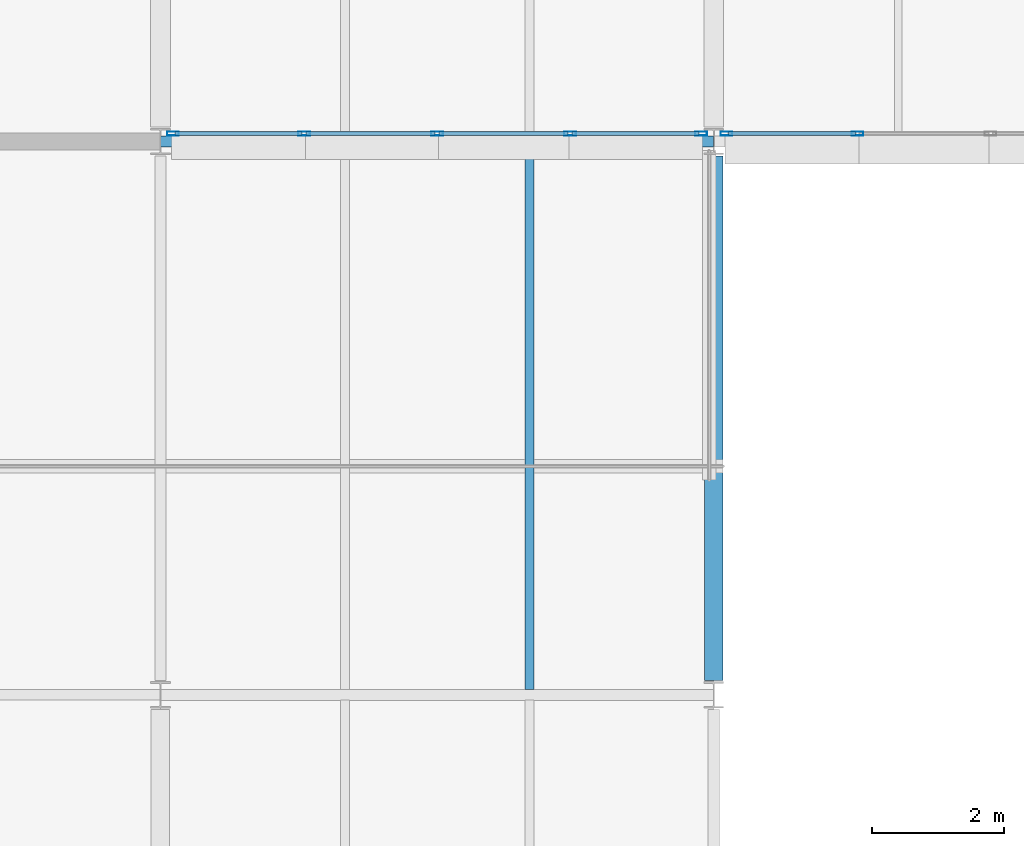
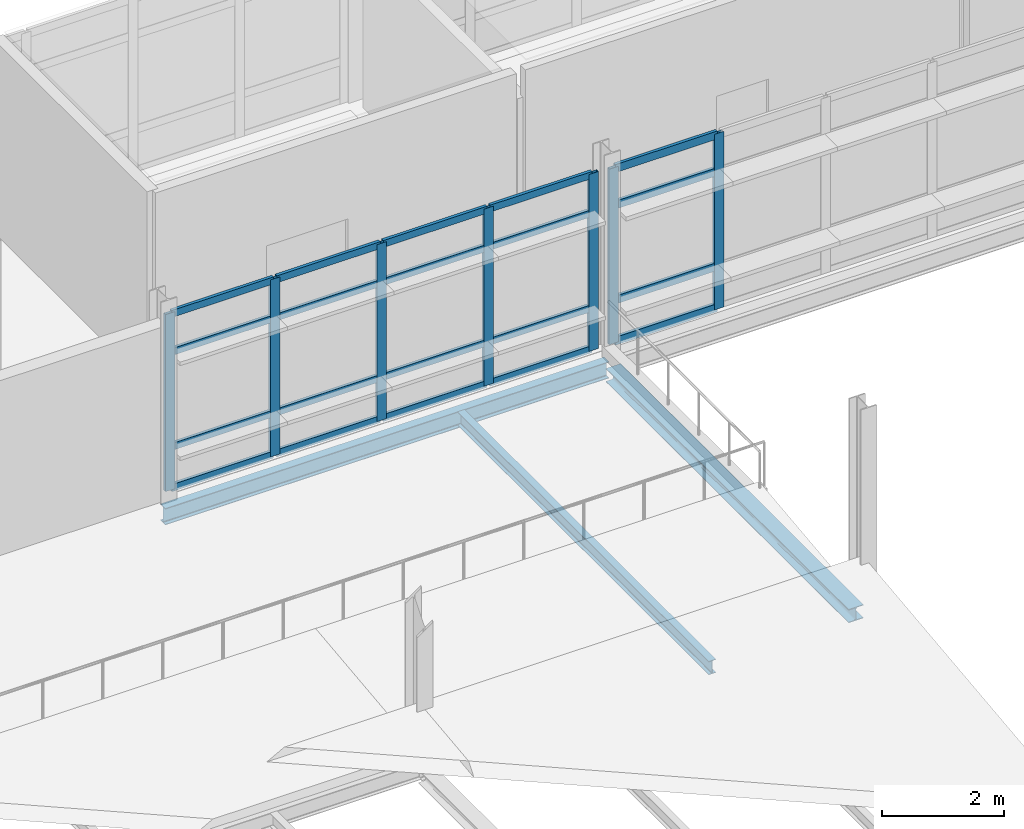
# One storey, part 21 of 66: 27 members, 3 beams, 2 elements without a shape of their own.
"""IFC4 building model written with IfcOpenShell, lengths in metres."""

import ifcopenshell
import ifcopenshell.guid

model = None  # the IFC model being written
_history = None  # IfcOwnerHistory: only IFC2X3 demands one
_inside = {}  # id of a spatial element -> (the spatial element, [elements in it])
_under = {}  # id of a project, library or spatial element -> (it, [spatial elements below it])
_declared = {}  # id of a project -> (the project, [libraries it declares])
_typed = {}  # id of a type object -> (the type object, [elements of that type])
_made_of = {}  # id of a material, layer set ... -> (it, [elements and type objects made of it])


def new_model(schema):
    """Start an empty IFC model of exactly this schema.

    Asked for "IFC4X3", IfcOpenShell would pick the latest addendum, in which some entities
    have other attributes; the version numbers below select the first issue.
    IFC2X3 requires an IfcOwnerHistory on every rooted entity: one is made here for all.
    """
    global model, _history
    if schema == "IFC4X3":
        model = ifcopenshell.file(schema_version=(4, 3, 0, 0))
    else:
        model = ifcopenshell.file(schema=schema)
    _inside.clear()
    _under.clear()
    _declared.clear()
    _typed.clear()
    _made_of.clear()
    _history = None
    if model.schema == "IFC2X3":
        org = make("IfcOrganization", Name="unknown")
        user = make(
            "IfcPersonAndOrganization",
            ThePerson=make("IfcPerson", FamilyName="unknown"),
            TheOrganization=org,
        )
        app = make(
            "IfcApplication",
            ApplicationDeveloper=org,
            Version="unknown",
            ApplicationFullName="unknown",
            ApplicationIdentifier="unknown",
        )
        _history = make(
            "IfcOwnerHistory",
            OwningUser=user,
            OwningApplication=app,
            ChangeAction="ADDED",
            CreationDate=0,
        )
    return model


def make(cls, **values):
    """One entity of the class cls with the attributes given. An attribute that is None is left unset."""
    return model.create_entity(
        cls, **{name: value for name, value in values.items() if value is not None}
    )


def rooted(cls, **values):
    """An entity with a GlobalId (a new one), such as an element, a storey or a relation."""
    return make(cls, GlobalId=ifcopenshell.guid.new(), OwnerHistory=_history, **values)


def si_unit(unit_type, name, prefix=None):
    """IfcSIUnit, for example si_unit("LENGTHUNIT", "METRE", prefix="MILLI")."""
    return make("IfcSIUnit", UnitType=unit_type, Prefix=prefix, Name=name)


def assignment(units):
    """IfcUnitAssignment: the units of a project."""
    return None if units is None else make("IfcUnitAssignment", Units=units)


def point(xyz):
    """IfcCartesianPoint."""
    return None if xyz is None else make("IfcCartesianPoint", Coordinates=xyz)


def direction(xyz):
    """IfcDirection."""
    return None if xyz is None else make("IfcDirection", DirectionRatios=xyz)


def frame(location, z_axis=None, x_axis=None):
    """IfcAxis2Placement3D, a coordinate frame: its origin and axes. An axis left out is left unset."""
    return make(
        "IfcAxis2Placement3D",
        Location=point(location),
        Axis=direction(z_axis),
        RefDirection=direction(x_axis),
    )


def frame_2d(location, x_axis=None):
    """IfcAxis2Placement2D, a coordinate frame in the plane: its origin and x axis."""
    return make(
        "IfcAxis2Placement2D", Location=point(location), RefDirection=direction(x_axis)
    )


def origin():
    """The frame at (0, 0, 0) with its axes left unset."""
    return frame((0.0, 0.0, 0.0))


def origin_2d():
    """The frame at (0, 0) in the plane with its x axis left unset."""
    return frame_2d((0.0, 0.0))


def place(relative_to, where):
    """IfcLocalPlacement: puts the frame where relative to a parent placement (None: the world)."""
    return make(
        "IfcLocalPlacement", PlacementRelTo=relative_to, RelativePlacement=where
    )


def context(
    kind, dimensions, precision=None, world=None, true_north=None, identifier=None
):
    """IfcGeometricRepresentationContext, for example the 3D "Model" context."""
    return make(
        "IfcGeometricRepresentationContext",
        ContextIdentifier=identifier,
        ContextType=kind,
        CoordinateSpaceDimension=dimensions,
        Precision=precision,
        WorldCoordinateSystem=world,
        TrueNorth=true_north,
    )


def subcontext(parent, identifier, kind, view, scale=None):
    """IfcGeometricRepresentationSubContext, for example "Body" below "Model"."""
    return make(
        "IfcGeometricRepresentationSubContext",
        ContextIdentifier=identifier,
        ContextType=kind,
        ParentContext=parent,
        TargetScale=scale,
        TargetView=view,
    )


def project(units=None, contexts=None):
    """IfcProject with its units and contexts."""
    return rooted(
        "IfcProject",
        Name="project",
        RepresentationContexts=contexts,
        UnitsInContext=assignment(units),
    )


def spatial(cls, under=None, at=None, **own):
    """A site, building, storey or space (cls), placed at a placement, below another one or the project."""
    s = rooted(cls, ObjectPlacement=at, **own)
    if under is not None:
        _under.setdefault(under.id(), (under, []))[1].append(s)
    return s


def profile(cls, at=None, kind="AREA", **sizes):
    """A parametric profile (cls). Its sizes go by their IFC names, for example OverallWidth=200.0."""
    return make(cls, ProfileType=kind, Position=at, **sizes)


def hollow_rectangle(**sizes):
    """IfcRectangleHollowProfileDef."""
    return profile("IfcRectangleHollowProfileDef", **sizes)


def i_section(**sizes):
    """IfcIShapeProfileDef."""
    return profile("IfcIShapeProfileDef", **sizes)


def extrude(swept, where, along, depth):
    """IfcExtrudedAreaSolid: the profile swept, set in the frame where, extruded along a direction by depth."""
    return make(
        "IfcExtrudedAreaSolid",
        SweptArea=swept,
        Position=where,
        ExtrudedDirection=direction(along),
        Depth=depth,
    )


def shape(context_of_items, identifier, shape_type, items):
    """IfcShapeRepresentation: the items that make up one representation, for example the "Body"."""
    return make(
        "IfcShapeRepresentation",
        ContextOfItems=context_of_items,
        RepresentationIdentifier=identifier,
        RepresentationType=shape_type,
        Items=items,
    )


def material(Name=None, Category=None):
    """IfcMaterial."""
    return make("IfcMaterial", Name=Name, Category=Category)


def material_profile(
    of_material, cross_section, Name=None, Category=None, Priority=None
):
    """IfcMaterialProfile: a cross section and its material."""
    return make(
        "IfcMaterialProfile",
        Name=Name,
        Material=of_material,
        Profile=cross_section,
        Priority=Priority,
        Category=Category,
    )


def profile_set(profiles, Name=None, composite=None):
    """IfcMaterialProfileSet."""
    return make(
        "IfcMaterialProfileSet",
        Name=Name,
        MaterialProfiles=profiles,
        CompositeProfile=composite,
    )


def made_of(thing, what):
    """Note that an element or type object is made of a material, layer set ...; save() writes the relation."""
    if what is not None:
        _made_of.setdefault(what.id(), (what, []))[1].append(thing)
    return thing


def type_object(cls, material=None, **own):
    """A type object (cls), such as IfcWallType, which elements share."""
    return made_of(rooted(cls, **own), material)


def element(
    cls,
    number,
    at=None,
    inside=None,
    cuts=None,
    type_object=None,
    material=None,
    context=None,
    identifier="Body",
    shape_type=None,
    held_by="IfcProductDefinitionShape",
    body=None,
    shapes=None,
    **own,
):
    """One element of the class cls, such as IfcWall. Its Tag is "e" and its number.

    at: its placement. inside: the storey or other place that contains it. cuts: it is an
    opening in that element (IfcRelVoidsElement). A single representation is given by context,
    identifier, shape_type and body (its items); several are given by shapes. held_by: the class
    of the entity that holds the representations. save() writes the other relations.
    """
    e = rooted(cls, Tag="e%d" % number, ObjectPlacement=at, **own)
    if body is not None:
        shapes = [shape(context, identifier, shape_type, body)]
    if shapes is not None:
        e.Representation = make(held_by, Representations=shapes)
    if inside is not None:
        _inside.setdefault(inside.id(), (inside, []))[1].append(e)
    if cuts is not None:
        rooted(
            "IfcRelVoidsElement", RelatingBuildingElement=cuts, RelatedOpeningElement=e
        )
    if type_object is not None:
        _typed.setdefault(type_object.id(), (type_object, []))[1].append(e)
    return made_of(e, material)


def aggregate(whole, parts):
    """IfcRelAggregates: a whole, such as a stair, and the parts it consists of."""
    return rooted("IfcRelAggregates", RelatingObject=whole, RelatedObjects=parts)


def save(model, path):
    """Write the relations noted so far, then the file.

    IfcRelAggregates (storeys below a building ...), IfcRelContainedInSpatialStructure (elements
    in a storey), IfcRelDefinesByType, IfcRelAssociatesMaterial and IfcRelDeclares: one each for
    every whole, place, type object, material and project.
    """
    for whole, parts in _under.values():
        aggregate(whole, parts)
    for where, things in _inside.values():
        rooted(
            "IfcRelContainedInSpatialStructure",
            RelatedElements=things,
            RelatingStructure=where,
        )
    for kind, things in _typed.values():
        rooted("IfcRelDefinesByType", RelatedObjects=things, RelatingType=kind)
    for what, things in _made_of.values():
        rooted("IfcRelAssociatesMaterial", RelatedObjects=things, RelatingMaterial=what)
    for by, libraries in _declared.values():
        rooted("IfcRelDeclares", RelatingContext=by, RelatedDefinitions=libraries)
    model.write(path)


model = new_model("IFC4")

# Units and contexts
model_context = context("Model", 3, precision=1e-05, world=origin(), true_north=direction((0.0, 1.0)))
body_context = subcontext(model_context, "Body", "Model", "MODEL_VIEW")
ifc_project = project(units=[si_unit("LENGTHUNIT", "METRE"), si_unit("AREAUNIT", "SQUARE_METRE"), si_unit("VOLUMEUNIT", "CUBIC_METRE"), si_unit("PLANEANGLEUNIT", "RADIAN"), si_unit("MASSUNIT", "GRAM", prefix="KILO")], contexts=[model_context])

# Site, building, storey
site_placement = place(None, origin())
site = spatial("IfcSite", under=ifc_project, at=site_placement, CompositionType="ELEMENT")
building_placement = place(site_placement, origin())
building = spatial("IfcBuilding", under=site, at=building_placement, Name="Mersafa Astral City Hall", CompositionType="ELEMENT")
storey_placement = place(building_placement, frame((0.0, 0.0, 22.050048828125)))
storey = spatial("IfcBuildingStorey", under=building, at=storey_placement, Name="L05", CompositionType="ELEMENT", Elevation=22.050048828125)

# Curtain wall, members
ifc_material_1 = material(Name="Anodised bronze aluminium framing", Category="aluminium")
curtain_wall_type_1 = type_object("IfcCurtainWallType", Name="ENV-CW-6", PredefinedType="USERDEFINED", material=ifc_material_1)
curtain_wall_1_placement = place(storey_placement, origin())
curtain_wall_1 = element("IfcCurtainWall", 1, at=curtain_wall_1_placement, inside=storey, type_object=curtain_wall_type_1, Name="L05 Unitised solar curtain wall 239", ObjectType="UNITISED CURTAIN WALL", PredefinedType="USERDEFINED")
ifc_material_profile_1 = material_profile(ifc_material_1, hollow_rectangle(XDim=0.06005859375, YDim=0.179931640625, WallThickness=0.00390625, at=origin_2d()), Name="RHS 60x180x4")
ifc_profile_set_1 = profile_set([ifc_material_profile_1], Name="Anodised bronze aluminium framing")
member_type_1 = type_object("IfcMemberType", Name="ENV-CW-MUL-1", PredefinedType="MULLION", material=ifc_profile_set_1)
member_1_placement = place(storey_placement, frame((109.39208984375, 117.719970703125, -0.001953125), z_axis=(0.0, 0.0, 1.0), x_axis=(0.0, 1.0, 0.0)))
member_1 = element("IfcMember", 2, at=member_1_placement, type_object=member_type_1, Name="CW-6 mullion 1", PredefinedType="MULLION", context=body_context, shape_type="SweptSolid", body=[
    extrude(hollow_rectangle(XDim=0.06005859375, YDim=0.179931640625, WallThickness=0.00390625, at=origin_2d()), origin(), (0.0, 0.0, 1.0), 3.5439453125),
])
member_2_placement = place(storey_placement, frame((111.381103515625, 117.719970703125, -0.001953125), z_axis=(0.0, 0.0, 1.0), x_axis=(0.0, 1.0, 0.0)))
member_2 = element("IfcMember", 3, at=member_2_placement, type_object=member_type_1, Name="CW-6 mullion 2", PredefinedType="MULLION", context=body_context, shape_type="SweptSolid", body=[
    extrude(hollow_rectangle(XDim=0.06005859375, YDim=0.179931640625, WallThickness=0.00390625, at=origin_2d()), origin(), (0.0, 0.0, 1.0), 3.5439453125),
])
member_3_placement = place(storey_placement, frame((113.39990234375, 117.719970703125, -0.001953125), z_axis=(0.0, 0.0, 1.0), x_axis=(0.0, 1.0, 0.0)))
member_3 = element("IfcMember", 4, at=member_3_placement, type_object=member_type_1, Name="CW-6 mullion 3", PredefinedType="MULLION", context=body_context, shape_type="SweptSolid", body=[
    extrude(hollow_rectangle(XDim=0.06005859375, YDim=0.179931640625, WallThickness=0.00390625, at=origin_2d()), origin(), (0.0, 0.0, 1.0), 3.5439453125),
])
member_4_placement = place(storey_placement, frame((115.4189453125, 117.719970703125, -0.001953125), z_axis=(0.0, 0.0, 1.0), x_axis=(0.0, 1.0, 0.0)))
member_4 = element("IfcMember", 5, at=member_4_placement, type_object=member_type_1, Name="CW-6 mullion 4", PredefinedType="MULLION", context=body_context, shape_type="SweptSolid", body=[
    extrude(hollow_rectangle(XDim=0.06005859375, YDim=0.179931640625, WallThickness=0.00390625, at=origin_2d()), origin(), (0.0, 0.0, 1.0), 3.5439453125),
])
member_5_placement = place(storey_placement, frame((117.407958984375, 117.719970703125, -0.001953125), z_axis=(0.0, 0.0, 1.0), x_axis=(0.0, 1.0, 0.0)))
member_5 = element("IfcMember", 6, at=member_5_placement, type_object=member_type_1, Name="CW-6 mullion 5", PredefinedType="MULLION", context=body_context, shape_type="SweptSolid", body=[
    extrude(hollow_rectangle(XDim=0.06005859375, YDim=0.179931640625, WallThickness=0.00390625, at=origin_2d()), origin(), (0.0, 0.0, 1.0), 3.5439453125),
])

curtain_wall_type_2 = type_object("IfcCurtainWallType", Name="ENV-CW-1", PredefinedType="USERDEFINED", material=ifc_material_1)
curtain_wall_2_placement = place(storey_placement, origin())
curtain_wall_2 = element("IfcCurtainWall", 7, at=curtain_wall_2_placement, inside=storey, type_object=curtain_wall_type_2, Name="L05 Unitised solar curtain wall 240", ObjectType="UNITISED CURTAIN WALL", PredefinedType="USERDEFINED")
member_6_placement = place(storey_placement, frame((117.7919921875, 117.719970703125, -0.001953125), z_axis=(0.0, 0.0, 1.0), x_axis=(0.0, 1.0, 0.0)))
member_6 = element("IfcMember", 8, at=member_6_placement, type_object=member_type_1, Name="CW-1 mullion 1", PredefinedType="MULLION", context=body_context, shape_type="SweptSolid", body=[
    extrude(hollow_rectangle(XDim=0.06005859375, YDim=0.179931640625, WallThickness=0.00390625, at=origin_2d()), origin(), (0.0, 0.0, 1.0), 3.513916015625),
])
member_7_placement = place(storey_placement, frame((119.781005859375, 117.719970703125, -0.001953125), z_axis=(0.0, 0.0, 1.0), x_axis=(0.0, 1.0, 0.0)))
member_7 = element("IfcMember", 9, at=member_7_placement, type_object=member_type_1, Name="CW-1 mullion 2", PredefinedType="MULLION", context=body_context, shape_type="SweptSolid", body=[
    extrude(hollow_rectangle(XDim=0.06005859375, YDim=0.179931640625, WallThickness=0.00390625, at=origin_2d()), origin(), (0.0, 0.0, 1.0), 3.513916015625),
])

# Member
ifc_material_profile_2 = material_profile(ifc_material_1, hollow_rectangle(XDim=0.06005859375, YDim=0.139892578125, WallThickness=0.00390625, at=origin_2d()), Name="RHS 60x140x4")
ifc_profile_set_2 = profile_set([ifc_material_profile_2], Name="Anodised bronze aluminium framing")
member_type_2 = type_object("IfcMemberType", Name="ENV-CW-TRN-1", PredefinedType="USERDEFINED", material=ifc_profile_set_2)
member_8_placement = place(storey_placement, frame((109.422119140625, 117.719970703125, 0.02783203125), z_axis=(1.0, 0.0, 0.0), x_axis=(0.0, 1.0, 0.0)))
member_8 = element("IfcMember", 10, at=member_8_placement, type_object=member_type_2, Name="CW-6 transom 1.1", ObjectType="TRANSOM", PredefinedType="USERDEFINED", context=body_context, shape_type="SweptSolid", body=[
    extrude(hollow_rectangle(XDim=0.06005859375, YDim=0.139892578125, WallThickness=0.00390625, at=origin_2d()), origin(), (0.0, 0.0, 1.0), 1.928955078125),
])

member_9_placement = place(storey_placement, frame((109.422119140625, 117.719970703125, 0.849853515625), z_axis=(1.0, 0.0, 0.0), x_axis=(0.0, 1.0, 0.0)))
member_9 = element("IfcMember", 11, at=member_9_placement, type_object=member_type_2, Name="CW-6 transom 1.2", ObjectType="TRANSOM", PredefinedType="USERDEFINED", context=body_context, shape_type="SweptSolid", body=[
    extrude(hollow_rectangle(XDim=0.06005859375, YDim=0.139892578125, WallThickness=0.00390625, at=origin_2d()), origin(), (0.0, 0.0, 1.0), 1.928955078125),
])

member_10_placement = place(storey_placement, frame((109.422119140625, 117.719970703125, 2.75), z_axis=(1.0, 0.0, 0.0), x_axis=(0.0, 1.0, 0.0)))
member_10 = element("IfcMember", 12, at=member_10_placement, type_object=member_type_2, Name="CW-6 transom 1.3", ObjectType="TRANSOM", PredefinedType="USERDEFINED", context=body_context, shape_type="SweptSolid", body=[
    extrude(hollow_rectangle(XDim=0.06005859375, YDim=0.139892578125, WallThickness=0.00390625, at=origin_2d()), origin(), (0.0, 0.0, 1.0), 1.928955078125),
])

member_11_placement = place(storey_placement, frame((109.422119140625, 117.719970703125, 3.511962890625), z_axis=(1.0, 0.0, 0.0), x_axis=(0.0, 1.0, 0.0)))
member_11 = element("IfcMember", 13, at=member_11_placement, type_object=member_type_2, Name="CW-6 transom 1.4", ObjectType="TRANSOM", PredefinedType="USERDEFINED", context=body_context, shape_type="SweptSolid", body=[
    extrude(hollow_rectangle(XDim=0.06005859375, YDim=0.139892578125, WallThickness=0.00390625, at=origin_2d()), origin(), (0.0, 0.0, 1.0), 1.928955078125),
])

member_12_placement = place(storey_placement, frame((111.410888671875, 117.719970703125, 0.02783203125), z_axis=(1.0, 0.0, 0.0), x_axis=(0.0, 1.0, 0.0)))
member_12 = element("IfcMember", 14, at=member_12_placement, type_object=member_type_2, Name="CW-6 transom 2.1", ObjectType="TRANSOM", PredefinedType="USERDEFINED", context=body_context, shape_type="SweptSolid", body=[
    extrude(hollow_rectangle(XDim=0.06005859375, YDim=0.139892578125, WallThickness=0.00390625, at=origin_2d()), origin(), (0.0, 0.0, 1.0), 1.959228515625),
])

member_13_placement = place(storey_placement, frame((111.410888671875, 117.719970703125, 0.849853515625), z_axis=(1.0, 0.0, 0.0), x_axis=(0.0, 1.0, 0.0)))
member_13 = element("IfcMember", 15, at=member_13_placement, type_object=member_type_2, Name="CW-6 transom 2.2", ObjectType="TRANSOM", PredefinedType="USERDEFINED", context=body_context, shape_type="SweptSolid", body=[
    extrude(hollow_rectangle(XDim=0.06005859375, YDim=0.139892578125, WallThickness=0.00390625, at=origin_2d()), origin(), (0.0, 0.0, 1.0), 1.959228515625),
])

member_14_placement = place(storey_placement, frame((111.410888671875, 117.719970703125, 2.75), z_axis=(1.0, 0.0, 0.0), x_axis=(0.0, 1.0, 0.0)))
member_14 = element("IfcMember", 16, at=member_14_placement, type_object=member_type_2, Name="CW-6 transom 2.3", ObjectType="TRANSOM", PredefinedType="USERDEFINED", context=body_context, shape_type="SweptSolid", body=[
    extrude(hollow_rectangle(XDim=0.06005859375, YDim=0.139892578125, WallThickness=0.00390625, at=origin_2d()), origin(), (0.0, 0.0, 1.0), 1.959228515625),
])

member_15_placement = place(storey_placement, frame((111.410888671875, 117.719970703125, 3.511962890625), z_axis=(1.0, 0.0, 0.0), x_axis=(0.0, 1.0, 0.0)))
member_15 = element("IfcMember", 17, at=member_15_placement, type_object=member_type_2, Name="CW-6 transom 2.4", ObjectType="TRANSOM", PredefinedType="USERDEFINED", context=body_context, shape_type="SweptSolid", body=[
    extrude(hollow_rectangle(XDim=0.06005859375, YDim=0.139892578125, WallThickness=0.00390625, at=origin_2d()), origin(), (0.0, 0.0, 1.0), 1.959228515625),
])

member_16_placement = place(storey_placement, frame((113.429931640625, 117.719970703125, 0.02783203125), z_axis=(1.0, 0.0, 0.0), x_axis=(0.0, 1.0, 0.0)))
member_16 = element("IfcMember", 18, at=member_16_placement, type_object=member_type_2, Name="CW-6 transom 3.1", ObjectType="TRANSOM", PredefinedType="USERDEFINED", context=body_context, shape_type="SweptSolid", body=[
    extrude(hollow_rectangle(XDim=0.06005859375, YDim=0.139892578125, WallThickness=0.00390625, at=origin_2d()), origin(), (0.0, 0.0, 1.0), 1.958984375),
])

member_17_placement = place(storey_placement, frame((113.429931640625, 117.719970703125, 0.849853515625), z_axis=(1.0, 0.0, 0.0), x_axis=(0.0, 1.0, 0.0)))
member_17 = element("IfcMember", 19, at=member_17_placement, type_object=member_type_2, Name="CW-6 transom 3.2", ObjectType="TRANSOM", PredefinedType="USERDEFINED", context=body_context, shape_type="SweptSolid", body=[
    extrude(hollow_rectangle(XDim=0.06005859375, YDim=0.139892578125, WallThickness=0.00390625, at=origin_2d()), origin(), (0.0, 0.0, 1.0), 1.958984375),
])

member_18_placement = place(storey_placement, frame((113.429931640625, 117.719970703125, 2.75), z_axis=(1.0, 0.0, 0.0), x_axis=(0.0, 1.0, 0.0)))
member_18 = element("IfcMember", 20, at=member_18_placement, type_object=member_type_2, Name="CW-6 transom 3.3", ObjectType="TRANSOM", PredefinedType="USERDEFINED", context=body_context, shape_type="SweptSolid", body=[
    extrude(hollow_rectangle(XDim=0.06005859375, YDim=0.139892578125, WallThickness=0.00390625, at=origin_2d()), origin(), (0.0, 0.0, 1.0), 1.958984375),
])

member_19_placement = place(storey_placement, frame((113.429931640625, 117.719970703125, 3.511962890625), z_axis=(1.0, 0.0, 0.0), x_axis=(0.0, 1.0, 0.0)))
member_19 = element("IfcMember", 21, at=member_19_placement, type_object=member_type_2, Name="CW-6 transom 3.4", ObjectType="TRANSOM", PredefinedType="USERDEFINED", context=body_context, shape_type="SweptSolid", body=[
    extrude(hollow_rectangle(XDim=0.06005859375, YDim=0.139892578125, WallThickness=0.00390625, at=origin_2d()), origin(), (0.0, 0.0, 1.0), 1.958984375),
])

member_20_placement = place(storey_placement, frame((115.448974609375, 117.719970703125, 0.02783203125), z_axis=(1.0, 0.0, 0.0), x_axis=(0.0, 1.0, 0.0)))
member_20 = element("IfcMember", 22, at=member_20_placement, type_object=member_type_2, Name="CW-6 transom 4.1", ObjectType="TRANSOM", PredefinedType="USERDEFINED", context=body_context, shape_type="SweptSolid", body=[
    extrude(hollow_rectangle(XDim=0.06005859375, YDim=0.139892578125, WallThickness=0.00390625, at=origin_2d()), origin(), (0.0, 0.0, 1.0), 1.928955078125),
])

member_21_placement = place(storey_placement, frame((115.448974609375, 117.719970703125, 0.849853515625), z_axis=(1.0, 0.0, 0.0), x_axis=(0.0, 1.0, 0.0)))
member_21 = element("IfcMember", 23, at=member_21_placement, type_object=member_type_2, Name="CW-6 transom 4.2", ObjectType="TRANSOM", PredefinedType="USERDEFINED", context=body_context, shape_type="SweptSolid", body=[
    extrude(hollow_rectangle(XDim=0.06005859375, YDim=0.139892578125, WallThickness=0.00390625, at=origin_2d()), origin(), (0.0, 0.0, 1.0), 1.928955078125),
])

member_22_placement = place(storey_placement, frame((115.448974609375, 117.719970703125, 2.75), z_axis=(1.0, 0.0, 0.0), x_axis=(0.0, 1.0, 0.0)))
member_22 = element("IfcMember", 24, at=member_22_placement, type_object=member_type_2, Name="CW-6 transom 4.3", ObjectType="TRANSOM", PredefinedType="USERDEFINED", context=body_context, shape_type="SweptSolid", body=[
    extrude(hollow_rectangle(XDim=0.06005859375, YDim=0.139892578125, WallThickness=0.00390625, at=origin_2d()), origin(), (0.0, 0.0, 1.0), 1.928955078125),
])

member_23_placement = place(storey_placement, frame((115.448974609375, 117.719970703125, 3.511962890625), z_axis=(1.0, 0.0, 0.0), x_axis=(0.0, 1.0, 0.0)))
member_23 = element("IfcMember", 25, at=member_23_placement, type_object=member_type_2, Name="CW-6 transom 4.4", ObjectType="TRANSOM", PredefinedType="USERDEFINED", context=body_context, shape_type="SweptSolid", body=[
    extrude(hollow_rectangle(XDim=0.06005859375, YDim=0.139892578125, WallThickness=0.00390625, at=origin_2d()), origin(), (0.0, 0.0, 1.0), 1.928955078125),
])

aggregate(curtain_wall_1, [member_1, member_2, member_3, member_4, member_5, member_8, member_9, member_10, member_11, member_12, member_13, member_14, member_15, member_16, member_17, member_18, member_19, member_20, member_21, member_22, member_23])

ifc_material_profile_3 = material_profile(ifc_material_1, hollow_rectangle(XDim=0.06005859375, YDim=0.159912109375, WallThickness=0.00390625, at=origin_2d()), Name="RHS 60x160x4")
ifc_profile_set_3 = profile_set([ifc_material_profile_3], Name="Anodised bronze aluminium framing")
member_type_3 = type_object("IfcMemberType", Name="ENV-CW-TRN-2", PredefinedType="USERDEFINED", material=ifc_profile_set_3)
member_24_placement = place(storey_placement, frame((117.822021484375, 117.719970703125, 0.02783203125), z_axis=(1.0, 0.0, 0.0), x_axis=(0.0, 1.0, 0.0)))
member_24 = element("IfcMember", 26, at=member_24_placement, type_object=member_type_3, Name="CW-1 transom 1.1", ObjectType="TRANSOM", PredefinedType="USERDEFINED", context=body_context, shape_type="SweptSolid", body=[
    extrude(hollow_rectangle(XDim=0.06005859375, YDim=0.159912109375, WallThickness=0.00390625, at=origin_2d()), origin(), (0.0, 0.0, 1.0), 1.928955078125),
])

member_25_placement = place(storey_placement, frame((117.822021484375, 117.719970703125, 0.849853515625), z_axis=(1.0, 0.0, 0.0), x_axis=(0.0, 1.0, 0.0)))
member_25 = element("IfcMember", 27, at=member_25_placement, type_object=member_type_3, Name="CW-1 transom 1.2", ObjectType="TRANSOM", PredefinedType="USERDEFINED", context=body_context, shape_type="SweptSolid", body=[
    extrude(hollow_rectangle(XDim=0.06005859375, YDim=0.159912109375, WallThickness=0.00390625, at=origin_2d()), origin(), (0.0, 0.0, 1.0), 1.928955078125),
])

member_26_placement = place(storey_placement, frame((117.822021484375, 117.719970703125, 2.75), z_axis=(1.0, 0.0, 0.0), x_axis=(0.0, 1.0, 0.0)))
member_26 = element("IfcMember", 28, at=member_26_placement, type_object=member_type_3, Name="CW-1 transom 1.3", ObjectType="TRANSOM", PredefinedType="USERDEFINED", context=body_context, shape_type="SweptSolid", body=[
    extrude(hollow_rectangle(XDim=0.06005859375, YDim=0.159912109375, WallThickness=0.00390625, at=origin_2d()), origin(), (0.0, 0.0, 1.0), 1.928955078125),
])

member_27_placement = place(storey_placement, frame((117.822021484375, 117.719970703125, 3.48193359375), z_axis=(1.0, 0.0, 0.0), x_axis=(0.0, 1.0, 0.0)))
member_27 = element("IfcMember", 29, at=member_27_placement, type_object=member_type_3, Name="CW-1 transom 1.4", ObjectType="TRANSOM", PredefinedType="USERDEFINED", context=body_context, shape_type="SweptSolid", body=[
    extrude(hollow_rectangle(XDim=0.06005859375, YDim=0.159912109375, WallThickness=0.00390625, at=origin_2d()), origin(), (0.0, 0.0, 1.0), 1.928955078125),
])

aggregate(curtain_wall_2, [member_6, member_7, member_24, member_25, member_26, member_27])

# Beams
ifc_material_2 = material(Name="Steel S355", Category="steel")
ifc_material_profile_4 = material_profile(ifc_material_2, i_section(OverallWidth=0.135009765625, OverallDepth=0.27001953125, WebThickness=0.006591796875, FlangeThickness=0.01025390625, FilletRadius=0.014892578125, at=origin_2d()), Name="IPE 270")
ifc_profile_set_4 = profile_set([ifc_material_profile_4], Name="Steel S355")
beam_type_1 = type_object("IfcBeamType", Name="STR-BM-JOIST-IPE270", PredefinedType="JOIST", material=ifc_profile_set_4)
beam_1_placement = place(storey_placement, frame((114.800048828125, 109.280029296875, -0.3349609375), z_axis=(0.0, 1.0, 0.0), x_axis=(-1.0, 0.0, 0.0)))
element("IfcBeam", 30, at=beam_1_placement, inside=storey, type_object=beam_type_1, Name="L05 Flat roof secondary joist 32", PredefinedType="JOIST", context=body_context, shape_type="SweptSolid", body=[
    extrude(i_section(OverallWidth=0.135009765625, OverallDepth=0.27001953125, WebThickness=0.006591796875, FlangeThickness=0.01025390625, FilletRadius=0.014892578125, at=origin_2d()), origin(), (0.0, 0.0, 1.0), 8.244873046875),
])
ifc_material_profile_5 = material_profile(ifc_material_2, i_section(OverallWidth=0.280029296875, OverallDepth=0.27001953125, WebThickness=0.008056640625, FlangeThickness=0.012939453125, FilletRadius=0.02392578125, at=origin_2d()), Name="HEA 280")
ifc_profile_set_5 = profile_set([ifc_material_profile_5], Name="Steel S355")
beam_type_2 = type_object("IfcBeamType", Name="STR-BM-SPANDREL-HEA280", PredefinedType="SPANDREL", material=ifc_profile_set_5)
beam_2_placement = place(storey_placement, frame((117.60009765625, 109.419921875, -0.3349609375), z_axis=(0.0, 1.0, 0.0), x_axis=(-1.0, 0.0, 0.0)))
element("IfcBeam", 31, at=beam_2_placement, inside=storey, type_object=beam_type_2, Name="L05 Primary girder Y 14-13", PredefinedType="SPANDREL", context=body_context, shape_type="SweptSolid", body=[
    extrude(i_section(OverallWidth=0.280029296875, OverallDepth=0.27001953125, WebThickness=0.008056640625, FlangeThickness=0.012939453125, FilletRadius=0.02392578125, at=origin_2d()), origin(), (0.0, 0.0, 1.0), 7.9599609375),
])
ifc_material_profile_6 = material_profile(ifc_material_2, i_section(OverallWidth=0.159912109375, OverallDepth=0.330078125, WebThickness=0.007568359375, FlangeThickness=0.011474609375, FilletRadius=0.01806640625, at=origin_2d()), Name="IPE 330")
ifc_profile_set_6 = profile_set([ifc_material_profile_6], Name="Steel S355")
beam_type_3 = type_object("IfcBeamType", Name="STR-BM-SPANDREL-IPE330", PredefinedType="SPANDREL", material=ifc_profile_set_6)
beam_3_placement = place(storey_placement, frame((109.202880859375, 117.60009765625, -0.364990234375), z_axis=(1.0, 0.0, 0.0), x_axis=(0.0, 1.0, 0.0)))
element("IfcBeam", 32, at=beam_3_placement, inside=storey, type_object=beam_type_3, Name="L05 Primary girder X 13-14", PredefinedType="SPANDREL", context=body_context, shape_type="SweptSolid", body=[
    extrude(i_section(OverallWidth=0.159912109375, OverallDepth=0.330078125, WebThickness=0.007568359375, FlangeThickness=0.011474609375, FilletRadius=0.01806640625, at=origin_2d()), origin(), (0.0, 0.0, 1.0), 8.39404296875),
])

save(model, "model.ifc")
